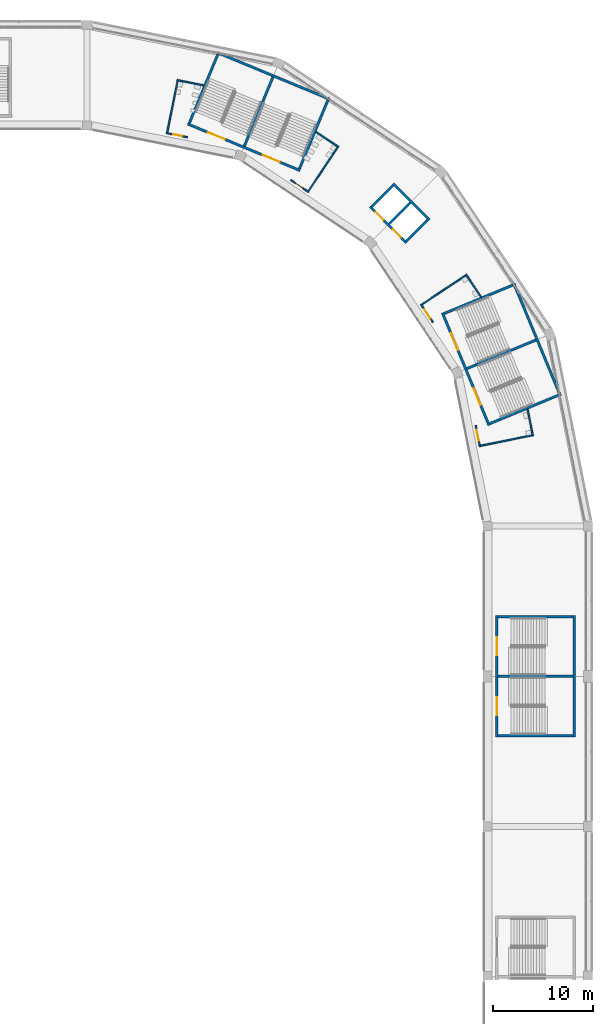
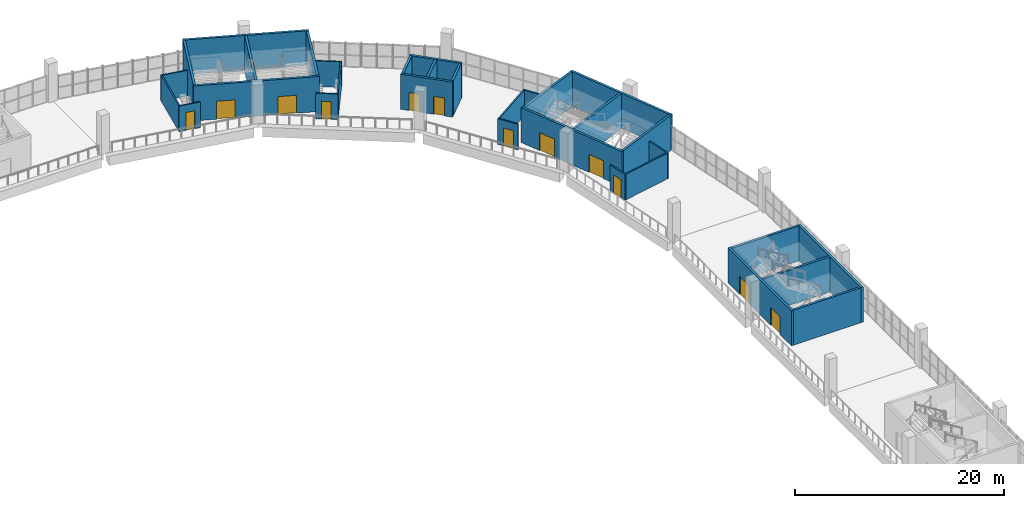
# One storey, part 68 of 177: 32 walls, 12 doors, 12 openings.
"""IFC4 building model written with IfcOpenShell, lengths in metres."""

from ifc_helpers import new_model, si_unit, direction, frame, frame_2d, origin, place, context, subcontext, project, spatial, rectangle, extrude, material, layer, layer_set, type_object, element, fill, save


model = new_model("IFC4")

# Units and contexts
model_context = context("Model", 3, precision=1e-05, world=origin(), true_north=direction((0.0, 1.0)))
body_context = subcontext(model_context, "Body", "Model", "MODEL_VIEW")
ifc_project = project(units=[si_unit("LENGTHUNIT", "METRE"), si_unit("AREAUNIT", "SQUARE_METRE"), si_unit("VOLUMEUNIT", "CUBIC_METRE"), si_unit("PLANEANGLEUNIT", "RADIAN"), si_unit("MASSUNIT", "GRAM", prefix="KILO")], contexts=[model_context])

# Site, building, storey
site_placement = place(None, origin())
site = spatial("IfcSite", under=ifc_project, at=site_placement, CompositionType="ELEMENT")
building_placement = place(site_placement, origin())
building = spatial("IfcBuilding", under=site, at=building_placement, Name="Ogive Plaza Stadium", CompositionType="ELEMENT")
storey_placement = place(building_placement, frame((0.0, 0.0, 18.0)))
storey = spatial("IfcBuildingStorey", under=building, at=storey_placement, Name="L04", CompositionType="ELEMENT", Elevation=18.0)

# Wall, openings, doors
ifc_material_1 = material(Name="Concrete C40/50", Category="concrete")
ifc_layer_1 = layer(ifc_material_1, 0.25)
ifc_layer_set_1 = layer_set([ifc_layer_1], Name="Concrete C40/50")
wall_type_1 = type_object("IfcWallType", Name="Core wall 250", PredefinedType="SHEAR", material=ifc_layer_set_1)
wall_1_placement = place(storey_placement, frame((74.925048828125, 31.425048828125, 0.0), z_axis=(0.0, 0.0, 1.0), x_axis=(0.0, 1.0, 0.0)))
wall_1 = element("IfcWall", 1, at=wall_1_placement, inside=storey, type_object=wall_type_1, Name="Stair core R02 inner wall", PredefinedType="SHEAR", context=body_context, shape_type="SweptSolid", body=[
    extrude(rectangle(XDim=12.14990234375, YDim=0.25, at=frame_2d((6.074951171875, 0.0))), origin(), (0.0, 0.0, 1.0), 4.090087890625),
])
opening_1_placement = place(wall_1_placement, frame((2.199951171875, 0.0, 0.0)))
opening_1 = element("IfcOpeningElement", 2, at=opening_1_placement, cuts=wall_1, Name="Opening D0051", PredefinedType="OPENING", context=body_context, shape_type="SweptSolid", body=[
    extrude(rectangle(XDim=1.800048828125, YDim=2.10009765625, at=frame_2d((0.89990234375, 1.050048828125))), frame((0.0, 0.125, 0.0), z_axis=(0.0, -1.0, 0.0), x_axis=(1.0, 0.0, 0.0)), (0.0, 0.0, 1.0), 0.25),
])
opening_2_placement = place(wall_1_placement, frame((8.14990234375, 0.0, 0.0)))
opening_2 = element("IfcOpeningElement", 3, at=opening_2_placement, cuts=wall_1, Name="Opening D0052", PredefinedType="OPENING", context=body_context, shape_type="SweptSolid", body=[
    extrude(rectangle(XDim=1.800048828125, YDim=2.10009765625, at=frame_2d((0.89990234375, 1.050048828125))), frame((0.0, 0.125, 0.0), z_axis=(0.0, -1.0, 0.0), x_axis=(1.0, 0.0, 0.0)), (0.0, 0.0, 1.0), 0.25),
])
ifc_material_2 = material(Name="Steel ASTM A572 Grade 50", Category="steel")
door_type_1 = type_object("IfcDoorType", Name="Fire door FD90 pair 1800 x 2100", OperationType="DOUBLE_DOOR_SINGLE_SWING", PredefinedType="DOOR", material=ifc_material_2)
door_1_placement = place(opening_1_placement, origin())
door_1 = element("IfcDoor", 4, at=door_1_placement, inside=storey, type_object=door_type_1, Name="Exit stair R02A door L04", OperationType="DOUBLE_DOOR_SINGLE_SWING", OverallHeight=2.10009765625, OverallWidth=1.800048828125, PredefinedType="DOOR", context=body_context, shape_type="SweptSolid", body=[
    extrude(rectangle(XDim=1.800048828125, YDim=2.10009765625, at=frame_2d((0.89990234375, 1.050048828125))), frame((0.0, 0.02490234375, 0.0), z_axis=(0.0, -1.0, 0.0), x_axis=(1.0, 0.0, 0.0)), (0.0, 0.0, 1.0), 0.050048828125),
])
fill(opening_1, door_1)
door_2_placement = place(opening_2_placement, origin())
door_2 = element("IfcDoor", 5, at=door_2_placement, inside=storey, type_object=door_type_1, Name="Exit stair R02B door L04", OperationType="DOUBLE_DOOR_SINGLE_SWING", OverallHeight=2.10009765625, OverallWidth=1.800048828125, PredefinedType="DOOR", context=body_context, shape_type="SweptSolid", body=[
    extrude(rectangle(XDim=1.800048828125, YDim=2.10009765625, at=frame_2d((0.89990234375, 1.050048828125))), frame((0.0, 0.02490234375, 0.0), z_axis=(0.0, -1.0, 0.0), x_axis=(1.0, 0.0, 0.0)), (0.0, 0.0, 1.0), 0.050048828125),
])
fill(opening_2, door_2)

# Walls
wall_2_placement = place(storey_placement, frame((82.635009765625, 31.425048828125, 0.0), z_axis=(0.0, 0.0, 1.0), x_axis=(0.0, 1.0, 0.0)))
element("IfcWall", 6, at=wall_2_placement, inside=storey, type_object=wall_type_1, Name="Stair core R02 outer wall", PredefinedType="SHEAR", context=body_context, shape_type="SweptSolid", body=[
    extrude(rectangle(XDim=12.14990234375, YDim=0.25, at=frame_2d((6.074951171875, 0.0))), origin(), (0.0, 0.0, 1.0), 4.090087890625),
])
for number, where, z_axis, x_axis, name in (
    (7, (75.050048828125, 31.550048828125, 0.0), (0.0, 0.0, 1.0), (1.0, 0.0, 0.0), "Stair core R02 side wall"),
    (8, (75.050048828125, 43.449951171875, 0.0), (0.0, 0.0, 1.0), (1.0, 0.0, 0.0), "Stair core R02 side wall"),
    (9, (75.050048828125, 37.5, 0.0), (0.0, 0.0, 1.0), (1.0, 0.0, 0.0), "Stair core R02 centre wall"),
):
    element("IfcWall", number, at=place(storey_placement, frame(where, z_axis=z_axis, x_axis=x_axis)), inside=storey, type_object=wall_type_1, Name=name, PredefinedType="SHEAR", context=body_context, shape_type="SweptSolid", body=[
        extrude(rectangle(XDim=7.4599609375, YDim=0.25, at=frame_2d((3.72998046875, 0.0))), origin(), (0.0, 0.0, 1.0), 4.090087890625),
    ])

# Wall, openings, doors
wall_3_placement = place(storey_placement, frame((55.27392578125, 87.98486328125, 0.0), z_axis=(0.0, 0.0, 1.0), x_axis=(-0.923877480578, 0.382688386133, 0.0)))
wall_3 = element("IfcWall", 10, at=wall_3_placement, inside=storey, type_object=wall_type_1, Name="Stair core R38 inner wall", PredefinedType="SHEAR", context=body_context, shape_type="SweptSolid", body=[
    extrude(rectangle(XDim=12.14990234375, YDim=0.25, at=frame_2d((6.074951171875, 0.0))), origin(), (0.0, 0.0, 1.0), 4.090087890625),
])
opening_3_placement = place(wall_3_placement, frame((2.199951171875, 0.0, 0.0)))
opening_3 = element("IfcOpeningElement", 11, at=opening_3_placement, cuts=wall_3, Name="Opening D0281", PredefinedType="OPENING", context=body_context, shape_type="SweptSolid", body=[
    extrude(rectangle(XDim=1.800048828125, YDim=2.10009765625, at=frame_2d((0.89990234375, 1.050048828125))), frame((0.0, 0.125, 0.0), z_axis=(0.0, -1.0, 0.0), x_axis=(1.0, 0.0, 0.0)), (0.0, 0.0, 1.0), 0.25),
])
opening_4_placement = place(wall_3_placement, frame((8.14990234375, 0.0, 0.0)))
opening_4 = element("IfcOpeningElement", 12, at=opening_4_placement, cuts=wall_3, Name="Opening D0282", PredefinedType="OPENING", context=body_context, shape_type="SweptSolid", body=[
    extrude(rectangle(XDim=1.800048828125, YDim=2.10009765625, at=frame_2d((0.89990234375, 1.050048828125))), frame((0.0, 0.125, 0.0), z_axis=(0.0, -1.0, 0.0), x_axis=(1.0, 0.0, 0.0)), (0.0, 0.0, 1.0), 0.25),
])
door_3_placement = place(opening_3_placement, origin())
door_3 = element("IfcDoor", 13, at=door_3_placement, inside=storey, type_object=door_type_1, Name="Exit stair R38A door L04", OperationType="DOUBLE_DOOR_SINGLE_SWING", OverallHeight=2.10009765625, OverallWidth=1.800048828125, PredefinedType="DOOR", context=body_context, shape_type="SweptSolid", body=[
    extrude(rectangle(XDim=1.800048828125, YDim=2.10009765625, at=frame_2d((0.89990234375, 1.050048828125))), frame((0.0, 0.02490234375, 0.0), z_axis=(0.0, -1.0, 0.0), x_axis=(1.0, 0.0, 0.0)), (0.0, 0.0, 1.0), 0.050048828125),
])
fill(opening_3, door_3)
door_4_placement = place(opening_4_placement, origin())
door_4 = element("IfcDoor", 14, at=door_4_placement, inside=storey, type_object=door_type_1, Name="Exit stair R38B door L04", OperationType="DOUBLE_DOOR_SINGLE_SWING", OverallHeight=2.10009765625, OverallWidth=1.800048828125, PredefinedType="DOOR", context=body_context, shape_type="SweptSolid", body=[
    extrude(rectangle(XDim=1.800048828125, YDim=2.10009765625, at=frame_2d((0.89990234375, 1.050048828125))), frame((0.0, 0.02490234375, 0.0), z_axis=(0.0, -1.0, 0.0), x_axis=(1.0, 0.0, 0.0)), (0.0, 0.0, 1.0), 0.050048828125),
])
fill(opening_4, door_4)

# Walls
wall_4_placement = place(storey_placement, frame((58.224365234375, 95.108154296875, 0.0), z_axis=(0.0, 0.0, 1.0), x_axis=(-0.923884584817, 0.382671234792, 0.0)))
element("IfcWall", 15, at=wall_4_placement, inside=storey, type_object=wall_type_1, Name="Stair core R38 outer wall", PredefinedType="SHEAR", context=body_context, shape_type="SweptSolid", body=[
    extrude(rectangle(XDim=12.14990234375, YDim=0.25, at=frame_2d((6.074951171875, 0.0))), origin(), (0.0, 0.0, 1.0), 4.090087890625),
])
for number, where, z_axis, x_axis, name in (
    (16, (55.206298828125, 88.148193359375, 0.0), (0.0, 0.0, 1.0), (0.382664910245, 0.923887204407, 0.0), "Stair core R38 side wall"),
    (17, (44.212158203125, 92.7021484375, 0.0), (0.0, 0.0, 1.0), (0.382664910245, 0.923887204407, 0.0), "Stair core R38 side wall"),
):
    element("IfcWall", number, at=place(storey_placement, frame(where, z_axis=z_axis, x_axis=x_axis)), inside=storey, type_object=wall_type_1, Name=name, PredefinedType="SHEAR", context=body_context, shape_type="SweptSolid", body=[
        extrude(rectangle(XDim=7.460205078125, YDim=0.25, at=frame_2d((3.72998046875, 0.0))), origin(), (0.0, 0.0, 1.0), 4.090087890625),
    ])
wall_5_placement = place(storey_placement, frame((49.709228515625, 90.42529296875, 0.0), z_axis=(0.0, 0.0, 1.0), x_axis=(0.382676480483, 0.923882412044, 0.0)))
element("IfcWall", 18, at=wall_5_placement, inside=storey, type_object=wall_type_1, Name="Stair core R38 centre wall", PredefinedType="SHEAR", context=body_context, shape_type="SweptSolid", body=[
    extrude(rectangle(XDim=7.4599609375, YDim=0.25, at=frame_2d((3.72998046875, 0.0))), origin(), (0.0, 0.0, 1.0), 4.090087890625),
])

# Wall, openings, doors
wall_6_placement = place(storey_placement, frame((74.134521484375, 62.548828125, 0.0), z_axis=(0.0, 0.0, 1.0), x_axis=(-0.382688386133, 0.923877480578, 0.0)))
wall_6 = element("IfcWall", 19, at=wall_6_placement, inside=storey, type_object=wall_type_1, Name="Stair core R40 inner wall", PredefinedType="SHEAR", context=body_context, shape_type="SweptSolid", body=[
    extrude(rectangle(XDim=12.14990234375, YDim=0.25, at=frame_2d((6.074951171875, 0.0))), origin(), (0.0, 0.0, 1.0), 4.090087890625),
])
opening_5_placement = place(wall_6_placement, frame((2.199951171875, 0.0, 0.0)))
opening_5 = element("IfcOpeningElement", 20, at=opening_5_placement, cuts=wall_6, Name="Opening D0293", PredefinedType="OPENING", context=body_context, shape_type="SweptSolid", body=[
    extrude(rectangle(XDim=1.800048828125, YDim=2.10009765625, at=frame_2d((0.89990234375, 1.050048828125))), frame((0.0, 0.125, 0.0), z_axis=(0.0, -1.0, 0.0), x_axis=(1.0, 0.0, 0.0)), (0.0, 0.0, 1.0), 0.25),
])
opening_6_placement = place(wall_6_placement, frame((8.14990234375, 0.0, 0.0)))
opening_6 = element("IfcOpeningElement", 21, at=opening_6_placement, cuts=wall_6, Name="Opening D0294", PredefinedType="OPENING", context=body_context, shape_type="SweptSolid", body=[
    extrude(rectangle(XDim=1.800048828125, YDim=2.10009765625, at=frame_2d((0.89990234375, 1.050048828125))), frame((0.0, 0.125, 0.0), z_axis=(0.0, -1.0, 0.0), x_axis=(1.0, 0.0, 0.0)), (0.0, 0.0, 1.0), 0.25),
])
door_5_placement = place(opening_5_placement, origin())
door_5 = element("IfcDoor", 22, at=door_5_placement, inside=storey, type_object=door_type_1, Name="Exit stair R40A door L04", OperationType="DOUBLE_DOOR_SINGLE_SWING", OverallHeight=2.10009765625, OverallWidth=1.800048828125, PredefinedType="DOOR", context=body_context, shape_type="SweptSolid", body=[
    extrude(rectangle(XDim=1.800048828125, YDim=2.10009765625, at=frame_2d((0.89990234375, 1.050048828125))), frame((0.0, 0.02490234375, 0.0), z_axis=(0.0, -1.0, 0.0), x_axis=(1.0, 0.0, 0.0)), (0.0, 0.0, 1.0), 0.050048828125),
])
fill(opening_5, door_5)
door_6_placement = place(opening_6_placement, origin())
door_6 = element("IfcDoor", 23, at=door_6_placement, inside=storey, type_object=door_type_1, Name="Exit stair R40B door L04", OperationType="DOUBLE_DOOR_SINGLE_SWING", OverallHeight=2.10009765625, OverallWidth=1.800048828125, PredefinedType="DOOR", context=body_context, shape_type="SweptSolid", body=[
    extrude(rectangle(XDim=1.800048828125, YDim=2.10009765625, at=frame_2d((0.89990234375, 1.050048828125))), frame((0.0, 0.02490234375, 0.0), z_axis=(0.0, -1.0, 0.0), x_axis=(1.0, 0.0, 0.0)), (0.0, 0.0, 1.0), 0.050048828125),
])
fill(opening_6, door_6)

# Walls
wall_7_placement = place(storey_placement, frame((81.257568359375, 65.499267578125, 0.0), z_axis=(0.0, 0.0, 1.0), x_axis=(-0.382671234792, 0.923884584817, 0.0)))
element("IfcWall", 24, at=wall_7_placement, inside=storey, type_object=wall_type_1, Name="Stair core R40 outer wall", PredefinedType="SHEAR", context=body_context, shape_type="SweptSolid", body=[
    extrude(rectangle(XDim=12.14990234375, YDim=0.25, at=frame_2d((6.074951171875, 0.0))), origin(), (0.0, 0.0, 1.0), 4.090087890625),
])
for number, where, z_axis, x_axis, name in (
    (25, (74.2021484375, 62.712158203125, 0.0), (0.0, 0.0, 1.0), (0.923887204407, 0.382664910245, 0.0), "Stair core R40 side wall"),
    (26, (69.648193359375, 73.706298828125, 0.0), (0.0, 0.0, 1.0), (0.923887204407, 0.382664910245, 0.0), "Stair core R40 side wall"),
):
    element("IfcWall", number, at=place(storey_placement, frame(where, z_axis=z_axis, x_axis=x_axis)), inside=storey, type_object=wall_type_1, Name=name, PredefinedType="SHEAR", context=body_context, shape_type="SweptSolid", body=[
        extrude(rectangle(XDim=7.460205078125, YDim=0.25, at=frame_2d((3.72998046875, 0.0))), origin(), (0.0, 0.0, 1.0), 4.090087890625),
    ])
wall_8_placement = place(storey_placement, frame((71.92529296875, 68.209228515625, 0.0), z_axis=(0.0, 0.0, 1.0), x_axis=(0.923882412044, 0.382676480483, 0.0)))
element("IfcWall", 27, at=wall_8_placement, inside=storey, type_object=wall_type_1, Name="Stair core R40 centre wall", PredefinedType="SHEAR", context=body_context, shape_type="SweptSolid", body=[
    extrude(rectangle(XDim=7.4599609375, YDim=0.25, at=frame_2d((3.72998046875, 0.0))), origin(), (0.0, 0.0, 1.0), 4.090087890625),
])

# Wall, openings, doors
wall_9_placement = place(storey_placement, frame((65.890625, 80.7490234375, 0.0), z_axis=(0.0, 0.0, 1.0), x_axis=(-0.707106781187, 0.707106781187, 0.0)))
wall_9 = element("IfcWall", 28, at=wall_9_placement, inside=storey, type_object=wall_type_1, Name="Lift core LP39 landing wall", PredefinedType="SHEAR", context=body_context, shape_type="SweptSolid", body=[
    extrude(rectangle(XDim=5.14990234375, YDim=0.25, at=frame_2d((2.574951171875, 0.0))), origin(), (0.0, 0.0, 1.0), 4.090087890625),
])
opening_7_placement = place(wall_9_placement, frame((0.800048828125, 0.0, 0.0)))
opening_7 = element("IfcOpeningElement", 29, at=opening_7_placement, cuts=wall_9, Name="Opening LD101", PredefinedType="OPENING", context=body_context, shape_type="SweptSolid", body=[
    extrude(rectangle(XDim=1.10009765625, YDim=2.10009765625, at=frame_2d((0.550048828125, 1.050048828125))), frame((0.0, 0.125, 0.0), z_axis=(0.0, -1.0, 0.0), x_axis=(1.0, 0.0, 0.0)), (0.0, 0.0, 1.0), 0.25),
])
opening_8_placement = place(wall_9_placement, frame((3.25, 0.0, 0.0)))
opening_8 = element("IfcOpeningElement", 30, at=opening_8_placement, cuts=wall_9, Name="Opening LD102", PredefinedType="OPENING", context=body_context, shape_type="SweptSolid", body=[
    extrude(rectangle(XDim=1.10009765625, YDim=2.10009765625, at=frame_2d((0.550048828125, 1.050048828125))), frame((0.0, 0.125, 0.0), z_axis=(0.0, -1.0, 0.0), x_axis=(1.0, 0.0, 0.0)), (0.0, 0.0, 1.0), 0.25),
])
ifc_material_3 = material(Name="Steel ASTM A572 Grade 50", Category="steel")
door_type_2 = type_object("IfcDoorType", Name="Landing door 1100 x 2100", OperationType="SLIDING_TO_LEFT", PredefinedType="DOOR", material=ifc_material_3)
door_7_placement = place(opening_7_placement, origin())
door_7 = element("IfcDoor", 31, at=door_7_placement, inside=storey, type_object=door_type_2, Name="Lift landing door LP39 L04", OperationType="SLIDING_TO_LEFT", OverallHeight=2.10009765625, OverallWidth=1.10009765625, PredefinedType="DOOR", context=body_context, shape_type="SweptSolid", body=[
    extrude(rectangle(XDim=1.10009765625, YDim=2.10009765625, at=frame_2d((0.550048828125, 1.050048828125))), frame((0.0, 0.02490234375, 0.0), z_axis=(0.0, -1.0, 0.0), x_axis=(1.0, 0.0, 0.0)), (0.0, 0.0, 1.0), 0.050048828125),
])
fill(opening_7, door_7)
door_8_placement = place(opening_8_placement, origin())
door_8 = element("IfcDoor", 32, at=door_8_placement, inside=storey, type_object=door_type_2, Name="Lift landing door LP39 L04", OperationType="SLIDING_TO_LEFT", OverallHeight=2.10009765625, OverallWidth=1.10009765625, PredefinedType="DOOR", context=body_context, shape_type="SweptSolid", body=[
    extrude(rectangle(XDim=1.10009765625, YDim=2.10009765625, at=frame_2d((0.550048828125, 1.050048828125))), frame((0.0, 0.02490234375, 0.0), z_axis=(0.0, -1.0, 0.0), x_axis=(1.0, 0.0, 0.0)), (0.0, 0.0, 1.0), 0.050048828125),
])
fill(opening_8, door_8)

# Walls
wall_10_placement = place(storey_placement, frame((68.188720703125, 83.047119140625, 0.0), z_axis=(0.0, 0.0, 1.0), x_axis=(-0.707106781187, 0.707106781187, 0.0)))
element("IfcWall", 33, at=wall_10_placement, inside=storey, type_object=wall_type_1, Name="Lift core LP39 rear wall", PredefinedType="SHEAR", context=body_context, shape_type="SweptSolid", body=[
    extrude(rectangle(XDim=5.14990234375, YDim=0.25, at=frame_2d((2.574951171875, 0.0))), origin(), (0.0, 0.0, 1.0), 4.090087890625),
])
for number, where, z_axis, x_axis, name in (
    (34, (65.890625, 80.92578125, 0.0), (0.0, 0.0, 1.0), (0.707066087907, 0.707147472125, 0.0), "Lift core LP39 side wall"),
    (35, (62.42578125, 84.390625, 0.0), (0.0, 0.0, 1.0), (0.707147472125, 0.707066087907, 0.0), "Lift core LP39 side wall"),
):
    element("IfcWall", number, at=place(storey_placement, frame(where, z_axis=z_axis, x_axis=x_axis)), inside=storey, type_object=wall_type_1, Name=name, PredefinedType="SHEAR", context=body_context, shape_type="SweptSolid", body=[
        extrude(rectangle(XDim=2.999755859375, YDim=0.25, at=frame_2d((1.5, 0.0))), origin(), (0.0, 0.0, 1.0), 4.090087890625),
    ])
wall_11_placement = place(storey_placement, frame((64.158203125, 82.658203125, 0.0), z_axis=(0.0, 0.0, 1.0), x_axis=(0.707106781187, 0.707106781187, 0.0)))
element("IfcWall", 36, at=wall_11_placement, inside=storey, type_object=wall_type_1, Name="Lift core LP39 centre wall", PredefinedType="SHEAR", context=body_context, shape_type="SweptSolid", body=[
    extrude(rectangle(XDim=3.0, YDim=0.25, at=frame_2d((1.5, 0.0))), origin(), (0.0, 0.0, 1.0), 4.090087890625),
])

# Wall, opening, door
ifc_material_4 = material(Name="Gypsum board partition", Category="gypsum")
ifc_layer_2 = layer(ifc_material_4, 0.14990234375)
ifc_layer_set_2 = layer_set([ifc_layer_2], Name="Partition 150")
wall_type_2 = type_object("IfcWallType", Name="Partition 150", PredefinedType="PARTITIONING", material=ifc_layer_set_2)
wall_12_placement = place(storey_placement, frame((44.031494140625, 91.3046875, 0.0), z_axis=(0.0, 0.0, 1.0), x_axis=(-0.980798247078, 0.195025122814, 0.0)))
wall_12 = element("IfcWall", 37, at=wall_12_placement, inside=storey, type_object=wall_type_2, Name="Wall L04 B37", PredefinedType="PARTITIONING", context=body_context, shape_type="SweptSolid", body=[
    extrude(rectangle(XDim=2.15185546875, YDim=0.14990234375, at=frame_2d((1.075927734375, 0.0))), origin(), (0.0, 0.0, 1.0), 3.0),
])
opening_9_placement = place(wall_12_placement, frame((0.5556640625, 0.0, 0.0)))
opening_9 = element("IfcOpeningElement", 38, at=opening_9_placement, cuts=wall_12, Name="Opening D0913", PredefinedType="OPENING", context=body_context, shape_type="SweptSolid", body=[
    extrude(rectangle(XDim=0.89990234375, YDim=2.10009765625, at=frame_2d((0.449951171875, 1.050048828125))), frame((0.0, 0.074951171875, 0.0), z_axis=(0.0, -1.0, 0.0), x_axis=(1.0, 0.0, 0.0)), (0.0, 0.0, 1.0), 0.14990234375),
])
ifc_material_5 = material(Name="Steel ASTM A572 Grade 50", Category="steel")
door_type_3 = type_object("IfcDoorType", Name="Door 900 x 2100", OperationType="SINGLE_SWING_LEFT", PredefinedType="DOOR", material=ifc_material_5)
door_9_placement = place(opening_9_placement, origin())
door_9 = element("IfcDoor", 39, at=door_9_placement, inside=storey, type_object=door_type_3, Name="Men's Toilet B37 door", OperationType="SINGLE_SWING_RIGHT", OverallHeight=2.10009765625, OverallWidth=0.89990234375, PredefinedType="DOOR", context=body_context, shape_type="SweptSolid", body=[
    extrude(rectangle(XDim=0.89990234375, YDim=2.10009765625, at=frame_2d((0.449951171875, 1.050048828125))), frame((0.0, 0.02490234375, 0.0), z_axis=(0.0, -1.0, 0.0), x_axis=(1.0, 0.0, 0.0)), (0.0, 0.0, 1.0), 0.050048828125),
])
fill(opening_9, door_9)

# Walls
wall_13_placement = place(storey_placement, frame((45.643310546875, 96.484130859375, 0.0), z_axis=(0.0, 0.0, 1.0), x_axis=(-0.980798640266, 0.195023145429, 0.0)))
element("IfcWall", 40, at=wall_13_placement, inside=storey, type_object=wall_type_2, Name="Wall L04 B37", PredefinedType="PARTITIONING", context=body_context, shape_type="SweptSolid", body=[
    extrude(rectangle(XDim=2.70654296875, YDim=0.14990234375, at=frame_2d((1.353271484375, 0.0))), origin(), (0.0, 0.0, 1.0), 3.0),
])
wall_14_placement = place(storey_placement, frame((42.004638671875, 91.78271484375, 0.0), z_axis=(0.0, 0.0, 1.0), x_axis=(0.199649155613, 0.979867447496, 0.0)))
element("IfcWall", 41, at=wall_14_placement, inside=storey, type_object=wall_type_2, Name="Wall L04 B37", PredefinedType="PARTITIONING", context=body_context, shape_type="SweptSolid", body=[
    extrude(rectangle(XDim=5.247314453125, YDim=0.14990234375, at=frame_2d((2.62353515625, 0.0))), origin(), (0.0, 0.0, 1.0), 3.0),
])

# Wall, opening, door
wall_15_placement = place(storey_placement, frame((54.345703125, 87.0322265625, 0.0), z_axis=(0.0, 0.0, 1.0), x_axis=(0.831526275944, -0.555485420524, 0.0)))
wall_15 = element("IfcWall", 42, at=wall_15_placement, inside=storey, type_object=wall_type_2, Name="Wall L04 B38", PredefinedType="PARTITIONING", context=body_context, shape_type="SweptSolid", body=[
    extrude(rectangle(XDim=2.15185546875, YDim=0.14990234375, at=frame_2d((1.075927734375, 0.0))), origin(), (0.0, 0.0, 1.0), 3.0),
])
opening_10_placement = place(wall_15_placement, frame((0.5556640625, 0.0, 0.0)))
opening_10 = element("IfcOpeningElement", 43, at=opening_10_placement, cuts=wall_15, Name="Opening D0914", PredefinedType="OPENING", context=body_context, shape_type="SweptSolid", body=[
    extrude(rectangle(XDim=0.89990234375, YDim=2.10009765625, at=frame_2d((0.449951171875, 1.050048828125))), frame((0.0, 0.074951171875, 0.0), z_axis=(0.0, -1.0, 0.0), x_axis=(1.0, 0.0, 0.0)), (0.0, 0.0, 1.0), 0.14990234375),
])
door_10_placement = place(opening_10_placement, origin())
door_10 = element("IfcDoor", 44, at=door_10_placement, inside=storey, type_object=door_type_3, Name="Women's Toilet B38 door", OperationType="SINGLE_SWING_RIGHT", OverallHeight=2.10009765625, OverallWidth=0.89990234375, PredefinedType="DOOR", context=body_context, shape_type="SweptSolid", body=[
    extrude(rectangle(XDim=0.89990234375, YDim=2.10009765625, at=frame_2d((0.449951171875, 1.050048828125))), frame((0.0, 0.02490234375, 0.0), z_axis=(0.0, -1.0, 0.0), x_axis=(1.0, 0.0, 0.0)), (0.0, 0.0, 1.0), 0.050048828125),
])
fill(opening_10, door_10)

# Walls
wall_16_placement = place(storey_placement, frame((56.868408203125, 91.83447265625, 0.0), z_axis=(0.0, 0.0, 1.0), x_axis=(0.831480890961, -0.555553352943, 0.0)))
element("IfcWall", 45, at=wall_16_placement, inside=storey, type_object=wall_type_2, Name="Wall L04 B38", PredefinedType="PARTITIONING", context=body_context, shape_type="SweptSolid", body=[
    extrude(rectangle(XDim=2.70654296875, YDim=0.14990234375, at=frame_2d((1.353271484375, 0.0))), origin(), (0.0, 0.0, 1.0), 3.0),
])
wall_17_placement = place(storey_placement, frame((56.1171875, 85.937255859375, 0.0), z_axis=(0.0, 0.0, 1.0), x_axis=(0.551679404395, 0.834056253958, 0.0)))
element("IfcWall", 46, at=wall_17_placement, inside=storey, type_object=wall_type_2, Name="Wall L04 B38", PredefinedType="PARTITIONING", context=body_context, shape_type="SweptSolid", body=[
    extrude(rectangle(XDim=5.247314453125, YDim=0.14990234375, at=frame_2d((2.62353515625, 0.0))), origin(), (0.0, 0.0, 1.0), 3.0),
])

# Wall, opening, door
wall_18_placement = place(storey_placement, frame((68.5322265625, 72.845703125, 0.0), z_axis=(0.0, 0.0, 1.0), x_axis=(-0.555485420524, 0.831526275944, 0.0)))
wall_18 = element("IfcWall", 47, at=wall_18_placement, inside=storey, type_object=wall_type_2, Name="Wall L04 B39", PredefinedType="PARTITIONING", context=body_context, shape_type="SweptSolid", body=[
    extrude(rectangle(XDim=2.15185546875, YDim=0.14990234375, at=frame_2d((1.075927734375, 0.0))), origin(), (0.0, 0.0, 1.0), 3.0),
])
opening_11_placement = place(wall_18_placement, frame((0.45556640625, 0.0, 0.0)))
opening_11 = element("IfcOpeningElement", 48, at=opening_11_placement, cuts=wall_18, Name="Opening D0915", PredefinedType="OPENING", context=body_context, shape_type="SweptSolid", body=[
    extrude(rectangle(XDim=1.10009765625, YDim=2.10009765625, at=frame_2d((0.550048828125, 1.050048828125))), frame((0.0, 0.074951171875, 0.0), z_axis=(0.0, -1.0, 0.0), x_axis=(1.0, 0.0, 0.0)), (0.0, 0.0, 1.0), 0.14990234375),
])
ifc_material_6 = material(Name="Steel ASTM A572 Grade 50", Category="steel")
door_type_4 = type_object("IfcDoorType", Name="Accessible door 1100 x 2100", OperationType="SINGLE_SWING_LEFT", PredefinedType="DOOR", material=ifc_material_6)
door_11_placement = place(opening_11_placement, origin())
door_11 = element("IfcDoor", 49, at=door_11_placement, inside=storey, type_object=door_type_4, Name="Accessible WC B39 door", OperationType="SINGLE_SWING_RIGHT", OverallHeight=2.10009765625, OverallWidth=1.10009765625, PredefinedType="DOOR", context=body_context, shape_type="SweptSolid", body=[
    extrude(rectangle(XDim=1.10009765625, YDim=2.10009765625, at=frame_2d((0.550048828125, 1.050048828125))), frame((0.0, 0.02490234375, 0.0), z_axis=(0.0, -1.0, 0.0), x_axis=(1.0, 0.0, 0.0)), (0.0, 0.0, 1.0), 0.050048828125),
])
fill(opening_11, door_11)

# Walls
wall_19_placement = place(storey_placement, frame((73.33447265625, 75.368408203125, 0.0), z_axis=(0.0, 0.0, 1.0), x_axis=(-0.555553352943, 0.831480890961, 0.0)))
element("IfcWall", 50, at=wall_19_placement, inside=storey, type_object=wall_type_2, Name="Wall L04 B39", PredefinedType="PARTITIONING", context=body_context, shape_type="SweptSolid", body=[
    extrude(rectangle(XDim=2.70654296875, YDim=0.14990234375, at=frame_2d((1.353271484375, 0.0))), origin(), (0.0, 0.0, 1.0), 3.0),
])
wall_20_placement = place(storey_placement, frame((67.437255859375, 74.6171875, 0.0), z_axis=(0.0, 0.0, 1.0), x_axis=(0.834056253958, 0.551679404395, 0.0)))
element("IfcWall", 51, at=wall_20_placement, inside=storey, type_object=wall_type_2, Name="Wall L04 B39", PredefinedType="PARTITIONING", context=body_context, shape_type="SweptSolid", body=[
    extrude(rectangle(XDim=5.247314453125, YDim=0.14990234375, at=frame_2d((2.62353515625, 0.0))), origin(), (0.0, 0.0, 1.0), 3.0),
])

# Wall, opening, door
wall_21_placement = place(storey_placement, frame((72.8046875, 62.531494140625, 0.0), z_axis=(0.0, 0.0, 1.0), x_axis=(0.195025122814, -0.980798247078, 0.0)))
wall_21 = element("IfcWall", 52, at=wall_21_placement, inside=storey, type_object=wall_type_2, Name="Wall L04 B40", PredefinedType="PARTITIONING", context=body_context, shape_type="SweptSolid", body=[
    extrude(rectangle(XDim=2.15185546875, YDim=0.14990234375, at=frame_2d((1.075927734375, 0.0))), origin(), (0.0, 0.0, 1.0), 3.0),
])
opening_12_placement = place(wall_21_placement, frame((0.45556640625, 0.0, 0.0)))
opening_12 = element("IfcOpeningElement", 53, at=opening_12_placement, cuts=wall_21, Name="Opening D0916", PredefinedType="OPENING", context=body_context, shape_type="SweptSolid", body=[
    extrude(rectangle(XDim=1.10009765625, YDim=2.10009765625, at=frame_2d((0.550048828125, 1.050048828125))), frame((0.0, 0.074951171875, 0.0), z_axis=(0.0, -1.0, 0.0), x_axis=(1.0, 0.0, 0.0)), (0.0, 0.0, 1.0), 0.14990234375),
])
door_12_placement = place(opening_12_placement, origin())
door_12 = element("IfcDoor", 54, at=door_12_placement, inside=storey, type_object=door_type_4, Name="Family WC B40 door", OperationType="SINGLE_SWING_RIGHT", OverallHeight=2.10009765625, OverallWidth=1.10009765625, PredefinedType="DOOR", context=body_context, shape_type="SweptSolid", body=[
    extrude(rectangle(XDim=1.10009765625, YDim=2.10009765625, at=frame_2d((0.550048828125, 1.050048828125))), frame((0.0, 0.02490234375, 0.0), z_axis=(0.0, -1.0, 0.0), x_axis=(1.0, 0.0, 0.0)), (0.0, 0.0, 1.0), 0.050048828125),
])
fill(opening_12, door_12)

# Walls
wall_22_placement = place(storey_placement, frame((77.984130859375, 64.143310546875, 0.0), z_axis=(0.0, 0.0, 1.0), x_axis=(0.195023145429, -0.980798640266, 0.0)))
element("IfcWall", 55, at=wall_22_placement, inside=storey, type_object=wall_type_2, Name="Wall L04 B40", PredefinedType="PARTITIONING", context=body_context, shape_type="SweptSolid", body=[
    extrude(rectangle(XDim=2.70654296875, YDim=0.14990234375, at=frame_2d((1.353271484375, 0.0))), origin(), (0.0, 0.0, 1.0), 3.0),
])
wall_23_placement = place(storey_placement, frame((73.28271484375, 60.504638671875, 0.0), z_axis=(0.0, 0.0, 1.0), x_axis=(0.979867447496, 0.199649155613, 0.0)))
element("IfcWall", 56, at=wall_23_placement, inside=storey, type_object=wall_type_2, Name="Wall L04 B40", PredefinedType="PARTITIONING", context=body_context, shape_type="SweptSolid", body=[
    extrude(rectangle(XDim=5.247314453125, YDim=0.14990234375, at=frame_2d((2.62353515625, 0.0))), origin(), (0.0, 0.0, 1.0), 3.0),
])

save(model, "model.ifc")
